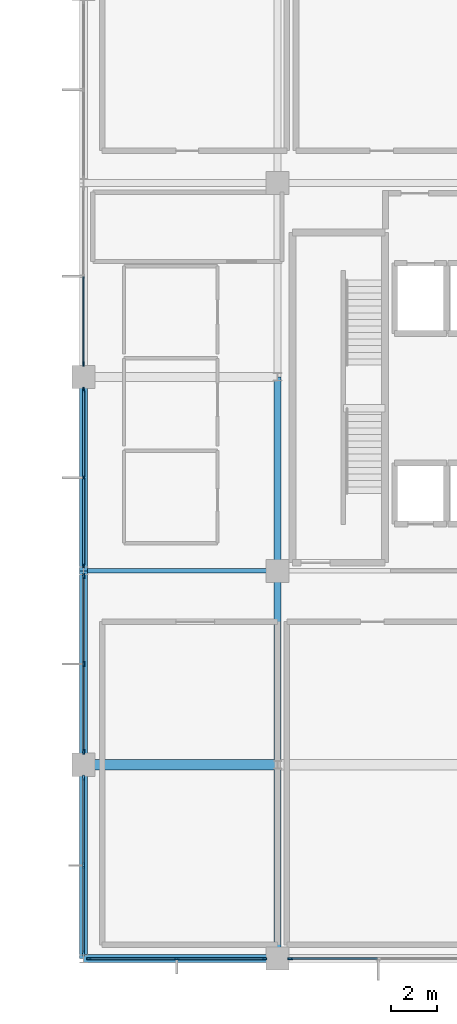
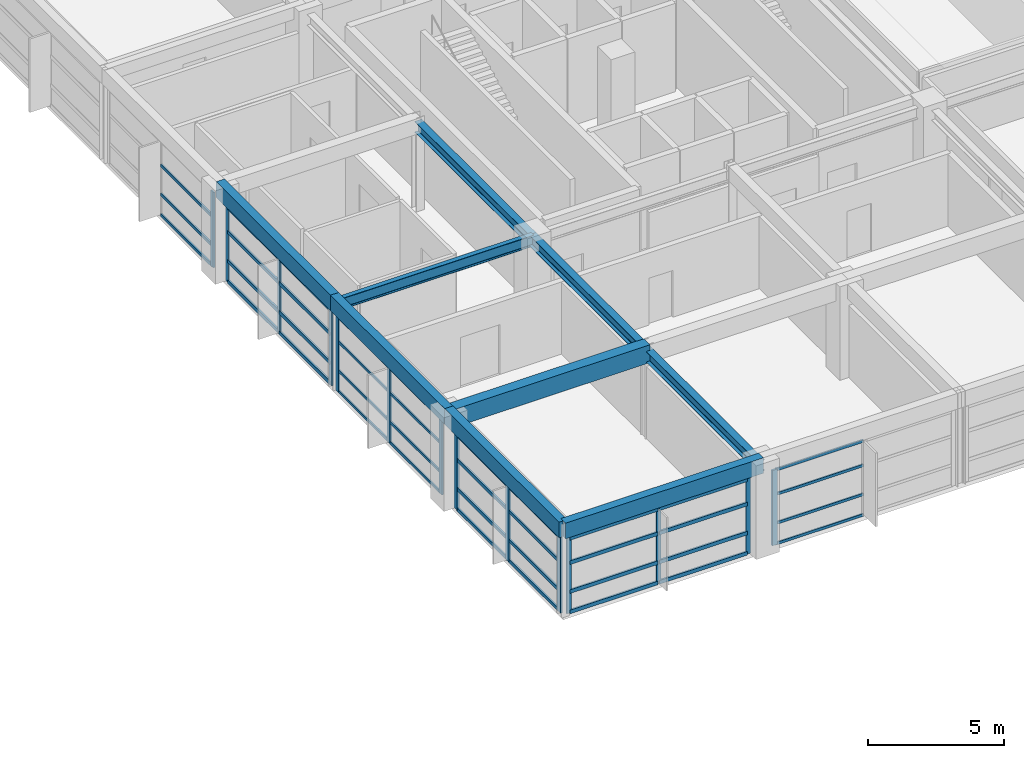
# One storey, part 6 of 21: 53 members, 9 beams, 6 elements without a shape of their own.
"""IFC4 building model written with IfcOpenShell, lengths in metres."""

from ifc_helpers import new_model, si_unit, direction, frame, origin, origin_2d, place, context, subcontext, project, spatial, rectangle, i_section, extrude, material, material_profile, profile_set, type_object, element, aggregate, save


model = new_model("IFC4")

# Units and contexts
model_context = context("Model", 3, precision=1e-05, world=origin(), true_north=direction((0.0, 1.0)))
body_context = subcontext(model_context, "Body", "Model", "MODEL_VIEW")
ifc_project = project(units=[si_unit("LENGTHUNIT", "METRE"), si_unit("AREAUNIT", "SQUARE_METRE"), si_unit("VOLUMEUNIT", "CUBIC_METRE"), si_unit("PLANEANGLEUNIT", "RADIAN"), si_unit("MASSUNIT", "GRAM", prefix="KILO")], contexts=[model_context])

# Site, building, storey
site_placement = place(None, origin())
site = spatial("IfcSite", under=ifc_project, at=site_placement, CompositionType="ELEMENT")
building_placement = place(site_placement, origin())
building = spatial("IfcBuilding", under=site, at=building_placement, Name="Xuanlan Plaza Opera House", CompositionType="ELEMENT")
storey_placement = place(building_placement, frame((0.0, 0.0, 44.699951171875)))
storey = spatial("IfcBuildingStorey", under=building, at=storey_placement, Name="L10", CompositionType="ELEMENT", Elevation=44.699951171875)

# Curtain wall, member
ifc_material_1 = material(Name="Anodised Aluminium 6063-T6 and Low-E Glass", Category="aluminium")
curtain_wall_type_1 = type_object("IfcCurtainWallType", Name="ENV-CW-CW-03", PredefinedType="USERDEFINED", material=ifc_material_1)
curtain_wall_1_placement = place(storey_placement, origin())
curtain_wall_1 = element("IfcCurtainWall", 1, at=curtain_wall_1_placement, inside=storey, type_object=curtain_wall_type_1, Name="Unitised Curtain Wall L10-015", ObjectType="UNITISED CURTAIN WALL", PredefinedType="USERDEFINED")
ifc_material_2 = material(Name="Anodised Aluminium 6063-T6", Category="aluminium")
ifc_material_profile_1 = material_profile(ifc_material_2, rectangle(XDim=0.070068359375, YDim=0.179931640625, at=origin_2d()), Name="ALU-M 70x180")
ifc_profile_set_1 = profile_set([ifc_material_profile_1], Name="Anodised Aluminium 6063-T6")
member_type_1 = type_object("IfcMemberType", Name="ENV-CWM-02", PredefinedType="MULLION", material=ifc_profile_set_1)
member_1_placement = place(storey_placement, frame((126.0, 59.35498046875, 0.0), z_axis=(0.0, 0.0, 1.0), x_axis=(1.0, 0.0, 0.0)))
member_1 = element("IfcMember", 2, at=member_1_placement, type_object=member_type_1, Name="CW-03 mullion 3", PredefinedType="MULLION", context=body_context, shape_type="SweptSolid", body=[
    extrude(rectangle(XDim=0.070068359375, YDim=0.179931640625, at=origin_2d()), origin(), (0.0, 0.0, 1.0), 3.380126953125),
])

# Curtain wall, members
curtain_wall_type_2 = type_object("IfcCurtainWallType", Name="ENV-CW-CW-01", PredefinedType="USERDEFINED", material=ifc_material_1)
curtain_wall_2_placement = place(storey_placement, origin())
curtain_wall_2 = element("IfcCurtainWall", 3, at=curtain_wall_2_placement, inside=storey, type_object=curtain_wall_type_2, Name="Unitised Curtain Wall L10-001", ObjectType="UNITISED CURTAIN WALL", PredefinedType="USERDEFINED")
ifc_material_profile_2 = material_profile(ifc_material_2, rectangle(XDim=0.074951171875, YDim=0.199951171875, at=origin_2d()), Name="ALU-M 75x200")
ifc_profile_set_2 = profile_set([ifc_material_profile_2], Name="Anodised Aluminium 6063-T6")
member_type_2 = type_object("IfcMemberType", Name="ENV-CWM-03", PredefinedType="MULLION", material=ifc_profile_set_2)
member_2_placement = place(storey_placement, frame((126.232421875, 33.60009765625, 0.0), z_axis=(0.0, 0.0, 1.0), x_axis=(0.0, 1.0, 0.0)))
member_2 = element("IfcMember", 4, at=member_2_placement, type_object=member_type_2, Name="CW-01 mullion 1", PredefinedType="MULLION", context=body_context, shape_type="SweptSolid", body=[
    extrude(rectangle(XDim=0.074951171875, YDim=0.199951171875, at=origin_2d()), origin(), (0.0, 0.0, 1.0), 3.380126953125),
])
member_3_placement = place(storey_placement, frame((130.03759765625, 33.60009765625, 0.0), z_axis=(0.0, 0.0, 1.0), x_axis=(0.0, 1.0, 0.0)))
member_3 = element("IfcMember", 5, at=member_3_placement, type_object=member_type_2, Name="CW-01 mullion 2", PredefinedType="MULLION", context=body_context, shape_type="SweptSolid", body=[
    extrude(rectangle(XDim=0.074951171875, YDim=0.199951171875, at=origin_2d()), origin(), (0.0, 0.0, 1.0), 3.380126953125),
])
member_4_placement = place(storey_placement, frame((133.842529296875, 33.60009765625, 0.0), z_axis=(0.0, 0.0, 1.0), x_axis=(0.0, 1.0, 0.0)))
member_4 = element("IfcMember", 6, at=member_4_placement, type_object=member_type_2, Name="CW-01 mullion 3", PredefinedType="MULLION", context=body_context, shape_type="SweptSolid", body=[
    extrude(rectangle(XDim=0.074951171875, YDim=0.199951171875, at=origin_2d()), origin(), (0.0, 0.0, 1.0), 3.380126953125),
])

curtain_wall_type_3 = type_object("IfcCurtainWallType", Name="ENV-CW-CW-04", PredefinedType="USERDEFINED", material=ifc_material_1)
curtain_wall_3_placement = place(storey_placement, origin())
curtain_wall_3 = element("IfcCurtainWall", 7, at=curtain_wall_3_placement, inside=storey, type_object=curtain_wall_type_3, Name="Unitised Curtain Wall L10-016", ObjectType="UNITISED CURTAIN WALL", PredefinedType="USERDEFINED")
member_5_placement = place(storey_placement, frame((126.0, 58.242431640625, 0.0), z_axis=(0.0, 0.0, 1.0), x_axis=(1.0, 0.0, 0.0)))
member_5 = element("IfcMember", 8, at=member_5_placement, type_object=member_type_2, Name="CW-04 mullion 1", PredefinedType="MULLION", context=body_context, shape_type="SweptSolid", body=[
    extrude(rectangle(XDim=0.074951171875, YDim=0.199951171875, at=origin_2d()), origin(), (0.0, 0.0, 1.0), 3.380126953125),
])
member_6_placement = place(storey_placement, frame((126.0, 54.4375, 0.0), z_axis=(0.0, 0.0, 1.0), x_axis=(1.0, 0.0, 0.0)))
member_6 = element("IfcMember", 9, at=member_6_placement, type_object=member_type_2, Name="CW-04 mullion 2", PredefinedType="MULLION", context=body_context, shape_type="SweptSolid", body=[
    extrude(rectangle(XDim=0.074951171875, YDim=0.199951171875, at=origin_2d()), origin(), (0.0, 0.0, 1.0), 3.380126953125),
])
member_7_placement = place(storey_placement, frame((126.0, 50.632568359375, 0.0), z_axis=(0.0, 0.0, 1.0), x_axis=(1.0, 0.0, 0.0)))
member_7 = element("IfcMember", 10, at=member_7_placement, type_object=member_type_2, Name="CW-04 mullion 3", PredefinedType="MULLION", context=body_context, shape_type="SweptSolid", body=[
    extrude(rectangle(XDim=0.074951171875, YDim=0.199951171875, at=origin_2d()), origin(), (0.0, 0.0, 1.0), 3.380126953125),
])

# Curtain wall, member
curtain_wall_type_4 = type_object("IfcCurtainWallType", Name="ENV-CW-CW-02", PredefinedType="USERDEFINED", material=ifc_material_1)
curtain_wall_4_placement = place(storey_placement, origin())
curtain_wall_4 = element("IfcCurtainWall", 11, at=curtain_wall_4_placement, inside=storey, type_object=curtain_wall_type_4, Name="Unitised Curtain Wall L10-002", ObjectType="UNITISED CURTAIN WALL", PredefinedType="USERDEFINED")
ifc_material_profile_3 = material_profile(ifc_material_2, rectangle(XDim=0.080078125, YDim=0.219970703125, at=origin_2d()), Name="ALU-M 80x220")
ifc_profile_set_3 = profile_set([ifc_material_profile_3], Name="Anodised Aluminium 6063-T6")
member_type_3 = type_object("IfcMemberType", Name="ENV-CWM-04", PredefinedType="MULLION", material=ifc_profile_set_3)
member_8_placement = place(storey_placement, frame((134.9599609375, 33.60009765625, 0.0), z_axis=(0.0, 0.0, 1.0), x_axis=(0.0, 1.0, 0.0)))
member_8 = element("IfcMember", 12, at=member_8_placement, type_object=member_type_3, Name="CW-02 mullion 1", PredefinedType="MULLION", context=body_context, shape_type="SweptSolid", body=[
    extrude(rectangle(XDim=0.080078125, YDim=0.219970703125, at=origin_2d()), origin(), (0.0, 0.0, 1.0), 3.380126953125),
])

# Curtain wall, members
curtain_wall_5_placement = place(storey_placement, origin())
curtain_wall_5 = element("IfcCurtainWall", 13, at=curtain_wall_5_placement, inside=storey, type_object=curtain_wall_type_2, Name="Unitised Curtain Wall L10-017", ObjectType="UNITISED CURTAIN WALL", PredefinedType="USERDEFINED")
member_9_placement = place(storey_placement, frame((126.0, 50.1650390625, 0.0), z_axis=(0.0, 0.0, 1.0), x_axis=(1.0, 0.0, 0.0)))
member_9 = element("IfcMember", 14, at=member_9_placement, type_object=member_type_3, Name="CW-01 mullion 1", PredefinedType="MULLION", context=body_context, shape_type="SweptSolid", body=[
    extrude(rectangle(XDim=0.080078125, YDim=0.219970703125, at=origin_2d()), origin(), (0.0, 0.0, 1.0), 3.380126953125),
])
member_10_placement = place(storey_placement, frame((126.0, 46.362548828125, 0.0), z_axis=(0.0, 0.0, 1.0), x_axis=(1.0, 0.0, 0.0)))
member_10 = element("IfcMember", 15, at=member_10_placement, type_object=member_type_3, Name="CW-01 mullion 2", PredefinedType="MULLION", context=body_context, shape_type="SweptSolid", body=[
    extrude(rectangle(XDim=0.080078125, YDim=0.219970703125, at=origin_2d()), origin(), (0.0, 0.0, 1.0), 3.380126953125),
])
member_11_placement = place(storey_placement, frame((126.0, 42.56005859375, 0.0), z_axis=(0.0, 0.0, 1.0), x_axis=(1.0, 0.0, 0.0)))
member_11 = element("IfcMember", 16, at=member_11_placement, type_object=member_type_3, Name="CW-01 mullion 3", PredefinedType="MULLION", context=body_context, shape_type="SweptSolid", body=[
    extrude(rectangle(XDim=0.080078125, YDim=0.219970703125, at=origin_2d()), origin(), (0.0, 0.0, 1.0), 3.380126953125),
])

curtain_wall_6_placement = place(storey_placement, origin())
curtain_wall_6 = element("IfcCurtainWall", 17, at=curtain_wall_6_placement, inside=storey, type_object=curtain_wall_type_4, Name="Unitised Curtain Wall L10-018", ObjectType="UNITISED CURTAIN WALL", PredefinedType="USERDEFINED")
ifc_material_profile_4 = material_profile(ifc_material_2, rectangle(XDim=0.090087890625, YDim=0.25, at=origin_2d()), Name="ALU-M 90x250")
ifc_profile_set_4 = profile_set([ifc_material_profile_4], Name="Anodised Aluminium 6063-T6")
member_type_4 = type_object("IfcMemberType", Name="ENV-CWM-05", PredefinedType="MULLION", material=ifc_profile_set_4)
member_12_placement = place(storey_placement, frame((126.0, 41.43505859375, 0.0), z_axis=(0.0, 0.0, 1.0), x_axis=(1.0, 0.0, 0.0)))
member_12 = element("IfcMember", 18, at=member_12_placement, type_object=member_type_4, Name="CW-02 mullion 1", PredefinedType="MULLION", context=body_context, shape_type="SweptSolid", body=[
    extrude(rectangle(XDim=0.090087890625, YDim=0.25, at=origin_2d()), origin(), (0.0, 0.0, 1.0), 3.380126953125),
])
member_13_placement = place(storey_placement, frame((126.0, 37.637451171875, 0.0), z_axis=(0.0, 0.0, 1.0), x_axis=(1.0, 0.0, 0.0)))
member_13 = element("IfcMember", 19, at=member_13_placement, type_object=member_type_4, Name="CW-02 mullion 2", PredefinedType="MULLION", context=body_context, shape_type="SweptSolid", body=[
    extrude(rectangle(XDim=0.090087890625, YDim=0.25, at=origin_2d()), origin(), (0.0, 0.0, 1.0), 3.380126953125),
])
member_14_placement = place(storey_placement, frame((126.0, 33.840087890625, 0.0), z_axis=(0.0, 0.0, 1.0), x_axis=(1.0, 0.0, 0.0)))
member_14 = element("IfcMember", 20, at=member_14_placement, type_object=member_type_4, Name="CW-02 mullion 3", PredefinedType="MULLION", context=body_context, shape_type="SweptSolid", body=[
    extrude(rectangle(XDim=0.090087890625, YDim=0.25, at=origin_2d()), origin(), (0.0, 0.0, 1.0), 3.380126953125),
])

# Member
ifc_material_profile_5 = material_profile(ifc_material_2, rectangle(XDim=0.06494140625, YDim=0.1201171875, at=origin_2d()), Name="ALU-T 65x120")
ifc_profile_set_5 = profile_set([ifc_material_profile_5], Name="Anodised Aluminium 6063-T6")
member_type_5 = type_object("IfcMemberType", Name="ENV-CWT-01", PredefinedType="USERDEFINED", material=ifc_profile_set_5)
member_15_placement = place(storey_placement, frame((135.0, 33.60009765625, 0.032470703125), z_axis=(1.0, 0.0, 0.0), x_axis=(0.0, 1.0, 0.0)))
member_15 = element("IfcMember", 21, at=member_15_placement, type_object=member_type_5, Name="CW-02 transom 1.1", ObjectType="TRANSOM", PredefinedType="USERDEFINED", context=body_context, shape_type="SweptSolid", body=[
    extrude(rectangle(XDim=0.06494140625, YDim=0.1201171875, at=origin_2d()), origin(), (0.0, 0.0, 1.0), 3.722412109375),
])

member_16_placement = place(storey_placement, frame((135.0, 33.60009765625, 0.949951171875), z_axis=(1.0, 0.0, 0.0), x_axis=(0.0, 1.0, 0.0)))
member_16 = element("IfcMember", 22, at=member_16_placement, type_object=member_type_5, Name="CW-02 transom 1.2", ObjectType="TRANSOM", PredefinedType="USERDEFINED", context=body_context, shape_type="SweptSolid", body=[
    extrude(rectangle(XDim=0.06494140625, YDim=0.1201171875, at=origin_2d()), origin(), (0.0, 0.0, 1.0), 3.722412109375),
])

member_17_placement = place(storey_placement, frame((135.0, 33.60009765625, 2.25), z_axis=(1.0, 0.0, 0.0), x_axis=(0.0, 1.0, 0.0)))
member_17 = element("IfcMember", 23, at=member_17_placement, type_object=member_type_5, Name="CW-02 transom 1.3", ObjectType="TRANSOM", PredefinedType="USERDEFINED", context=body_context, shape_type="SweptSolid", body=[
    extrude(rectangle(XDim=0.06494140625, YDim=0.1201171875, at=origin_2d()), origin(), (0.0, 0.0, 1.0), 3.722412109375),
])

member_18_placement = place(storey_placement, frame((135.0, 33.60009765625, 3.34765625), z_axis=(1.0, 0.0, 0.0), x_axis=(0.0, 1.0, 0.0)))
member_18 = element("IfcMember", 24, at=member_18_placement, type_object=member_type_5, Name="CW-02 transom 1.4", ObjectType="TRANSOM", PredefinedType="USERDEFINED", context=body_context, shape_type="SweptSolid", body=[
    extrude(rectangle(XDim=0.06494140625, YDim=0.1201171875, at=origin_2d()), origin(), (0.0, 0.0, 1.0), 3.722412109375),
])

aggregate(curtain_wall_4, [member_8, member_15, member_16, member_17, member_18])

member_19_placement = place(storey_placement, frame((126.0, 50.125, 0.032470703125), z_axis=(0.0, -1.0, 0.0), x_axis=(1.0, 0.0, 0.0)))
member_19 = element("IfcMember", 25, at=member_19_placement, type_object=member_type_5, Name="CW-01 transom 1.1", ObjectType="TRANSOM", PredefinedType="USERDEFINED", context=body_context, shape_type="SweptSolid", body=[
    extrude(rectangle(XDim=0.06494140625, YDim=0.1201171875, at=origin_2d()), origin(), (0.0, 0.0, 1.0), 3.722412109375),
])

member_20_placement = place(storey_placement, frame((126.0, 50.125, 0.949951171875), z_axis=(0.0, -1.0, 0.0), x_axis=(1.0, 0.0, 0.0)))
member_20 = element("IfcMember", 26, at=member_20_placement, type_object=member_type_5, Name="CW-01 transom 1.2", ObjectType="TRANSOM", PredefinedType="USERDEFINED", context=body_context, shape_type="SweptSolid", body=[
    extrude(rectangle(XDim=0.06494140625, YDim=0.1201171875, at=origin_2d()), origin(), (0.0, 0.0, 1.0), 3.722412109375),
])

member_21_placement = place(storey_placement, frame((126.0, 50.125, 2.25), z_axis=(0.0, -1.0, 0.0), x_axis=(1.0, 0.0, 0.0)))
member_21 = element("IfcMember", 27, at=member_21_placement, type_object=member_type_5, Name="CW-01 transom 1.3", ObjectType="TRANSOM", PredefinedType="USERDEFINED", context=body_context, shape_type="SweptSolid", body=[
    extrude(rectangle(XDim=0.06494140625, YDim=0.1201171875, at=origin_2d()), origin(), (0.0, 0.0, 1.0), 3.722412109375),
])

member_22_placement = place(storey_placement, frame((126.0, 50.125, 3.34765625), z_axis=(0.0, -1.0, 0.0), x_axis=(1.0, 0.0, 0.0)))
member_22 = element("IfcMember", 28, at=member_22_placement, type_object=member_type_5, Name="CW-01 transom 1.4", ObjectType="TRANSOM", PredefinedType="USERDEFINED", context=body_context, shape_type="SweptSolid", body=[
    extrude(rectangle(XDim=0.06494140625, YDim=0.1201171875, at=origin_2d()), origin(), (0.0, 0.0, 1.0), 3.722412109375),
])

member_23_placement = place(storey_placement, frame((126.0, 46.322509765625, 0.032470703125), z_axis=(0.0, -1.0, 0.0), x_axis=(1.0, 0.0, 0.0)))
member_23 = element("IfcMember", 29, at=member_23_placement, type_object=member_type_5, Name="CW-01 transom 2.1", ObjectType="TRANSOM", PredefinedType="USERDEFINED", context=body_context, shape_type="SweptSolid", body=[
    extrude(rectangle(XDim=0.06494140625, YDim=0.1201171875, at=origin_2d()), origin(), (0.0, 0.0, 1.0), 3.722412109375),
])

member_24_placement = place(storey_placement, frame((126.0, 46.322509765625, 0.949951171875), z_axis=(0.0, -1.0, 0.0), x_axis=(1.0, 0.0, 0.0)))
member_24 = element("IfcMember", 30, at=member_24_placement, type_object=member_type_5, Name="CW-01 transom 2.2", ObjectType="TRANSOM", PredefinedType="USERDEFINED", context=body_context, shape_type="SweptSolid", body=[
    extrude(rectangle(XDim=0.06494140625, YDim=0.1201171875, at=origin_2d()), origin(), (0.0, 0.0, 1.0), 3.722412109375),
])

member_25_placement = place(storey_placement, frame((126.0, 46.322509765625, 2.25), z_axis=(0.0, -1.0, 0.0), x_axis=(1.0, 0.0, 0.0)))
member_25 = element("IfcMember", 31, at=member_25_placement, type_object=member_type_5, Name="CW-01 transom 2.3", ObjectType="TRANSOM", PredefinedType="USERDEFINED", context=body_context, shape_type="SweptSolid", body=[
    extrude(rectangle(XDim=0.06494140625, YDim=0.1201171875, at=origin_2d()), origin(), (0.0, 0.0, 1.0), 3.722412109375),
])

member_26_placement = place(storey_placement, frame((126.0, 46.322509765625, 3.34765625), z_axis=(0.0, -1.0, 0.0), x_axis=(1.0, 0.0, 0.0)))
member_26 = element("IfcMember", 32, at=member_26_placement, type_object=member_type_5, Name="CW-01 transom 2.4", ObjectType="TRANSOM", PredefinedType="USERDEFINED", context=body_context, shape_type="SweptSolid", body=[
    extrude(rectangle(XDim=0.06494140625, YDim=0.1201171875, at=origin_2d()), origin(), (0.0, 0.0, 1.0), 3.722412109375),
])

aggregate(curtain_wall_5, [member_9, member_10, member_11, member_19, member_20, member_21, member_22, member_23, member_24, member_25, member_26])

ifc_material_profile_6 = material_profile(ifc_material_2, rectangle(XDim=0.070068359375, YDim=0.135009765625, at=origin_2d()), Name="ALU-T 70x135")
ifc_profile_set_6 = profile_set([ifc_material_profile_6], Name="Anodised Aluminium 6063-T6")
member_type_6 = type_object("IfcMemberType", Name="ENV-CWT-02", PredefinedType="USERDEFINED", material=ifc_profile_set_6)
member_27_placement = place(storey_placement, frame((126.0, 63.12744140625, 0.03515625), z_axis=(0.0, -1.0, 0.0), x_axis=(1.0, 0.0, 0.0)))
member_27 = element("IfcMember", 33, at=member_27_placement, type_object=member_type_6, Name="CW-03 transom 2.1", ObjectType="TRANSOM", PredefinedType="USERDEFINED", context=body_context, shape_type="SweptSolid", body=[
    extrude(rectangle(XDim=0.070068359375, YDim=0.135009765625, at=origin_2d()), origin(), (0.0, 0.0, 1.0), 3.737548828125),
])

member_28_placement = place(storey_placement, frame((126.0, 63.12744140625, 0.949951171875), z_axis=(0.0, -1.0, 0.0), x_axis=(1.0, 0.0, 0.0)))
member_28 = element("IfcMember", 34, at=member_28_placement, type_object=member_type_6, Name="CW-03 transom 2.2", ObjectType="TRANSOM", PredefinedType="USERDEFINED", context=body_context, shape_type="SweptSolid", body=[
    extrude(rectangle(XDim=0.070068359375, YDim=0.135009765625, at=origin_2d()), origin(), (0.0, 0.0, 1.0), 3.737548828125),
])

member_29_placement = place(storey_placement, frame((126.0, 63.12744140625, 2.25), z_axis=(0.0, -1.0, 0.0), x_axis=(1.0, 0.0, 0.0)))
member_29 = element("IfcMember", 35, at=member_29_placement, type_object=member_type_6, Name="CW-03 transom 2.3", ObjectType="TRANSOM", PredefinedType="USERDEFINED", context=body_context, shape_type="SweptSolid", body=[
    extrude(rectangle(XDim=0.070068359375, YDim=0.135009765625, at=origin_2d()), origin(), (0.0, 0.0, 1.0), 3.737548828125),
])

aggregate(curtain_wall_1, [member_1, member_27, member_28, member_29])

ifc_material_profile_7 = material_profile(ifc_material_2, rectangle(XDim=0.074951171875, YDim=0.14990234375, at=origin_2d()), Name="ALU-T 75x150")
ifc_profile_set_7 = profile_set([ifc_material_profile_7], Name="Anodised Aluminium 6063-T6")
member_type_7 = type_object("IfcMemberType", Name="ENV-CWT-03", PredefinedType="USERDEFINED", material=ifc_profile_set_7)
member_30_placement = place(storey_placement, frame((126.0, 41.389892578125, 0.03759765625), z_axis=(0.0, -1.0, 0.0), x_axis=(1.0, 0.0, 0.0)))
member_30 = element("IfcMember", 36, at=member_30_placement, type_object=member_type_7, Name="CW-02 transom 1.1", ObjectType="TRANSOM", PredefinedType="USERDEFINED", context=body_context, shape_type="SweptSolid", body=[
    extrude(rectangle(XDim=0.074951171875, YDim=0.14990234375, at=origin_2d()), origin(), (0.0, 0.0, 1.0), 3.707275390625),
])

member_31_placement = place(storey_placement, frame((126.0, 41.389892578125, 0.949951171875), z_axis=(0.0, -1.0, 0.0), x_axis=(1.0, 0.0, 0.0)))
member_31 = element("IfcMember", 37, at=member_31_placement, type_object=member_type_7, Name="CW-02 transom 1.2", ObjectType="TRANSOM", PredefinedType="USERDEFINED", context=body_context, shape_type="SweptSolid", body=[
    extrude(rectangle(XDim=0.074951171875, YDim=0.14990234375, at=origin_2d()), origin(), (0.0, 0.0, 1.0), 3.707275390625),
])

member_32_placement = place(storey_placement, frame((126.0, 41.389892578125, 2.25), z_axis=(0.0, -1.0, 0.0), x_axis=(1.0, 0.0, 0.0)))
member_32 = element("IfcMember", 38, at=member_32_placement, type_object=member_type_7, Name="CW-02 transom 1.3", ObjectType="TRANSOM", PredefinedType="USERDEFINED", context=body_context, shape_type="SweptSolid", body=[
    extrude(rectangle(XDim=0.074951171875, YDim=0.14990234375, at=origin_2d()), origin(), (0.0, 0.0, 1.0), 3.707275390625),
])

member_33_placement = place(storey_placement, frame((126.0, 41.389892578125, 3.342529296875), z_axis=(0.0, -1.0, 0.0), x_axis=(1.0, 0.0, 0.0)))
member_33 = element("IfcMember", 39, at=member_33_placement, type_object=member_type_7, Name="CW-02 transom 1.4", ObjectType="TRANSOM", PredefinedType="USERDEFINED", context=body_context, shape_type="SweptSolid", body=[
    extrude(rectangle(XDim=0.074951171875, YDim=0.14990234375, at=origin_2d()), origin(), (0.0, 0.0, 1.0), 3.707275390625),
])

member_34_placement = place(storey_placement, frame((126.0, 37.592529296875, 0.03759765625), z_axis=(0.0, -1.0, 0.0), x_axis=(1.0, 0.0, 0.0)))
member_34 = element("IfcMember", 40, at=member_34_placement, type_object=member_type_7, Name="CW-02 transom 2.1", ObjectType="TRANSOM", PredefinedType="USERDEFINED", context=body_context, shape_type="SweptSolid", body=[
    extrude(rectangle(XDim=0.074951171875, YDim=0.14990234375, at=origin_2d()), origin(), (0.0, 0.0, 1.0), 3.70751953125),
])

member_35_placement = place(storey_placement, frame((126.0, 37.592529296875, 0.949951171875), z_axis=(0.0, -1.0, 0.0), x_axis=(1.0, 0.0, 0.0)))
member_35 = element("IfcMember", 41, at=member_35_placement, type_object=member_type_7, Name="CW-02 transom 2.2", ObjectType="TRANSOM", PredefinedType="USERDEFINED", context=body_context, shape_type="SweptSolid", body=[
    extrude(rectangle(XDim=0.074951171875, YDim=0.14990234375, at=origin_2d()), origin(), (0.0, 0.0, 1.0), 3.70751953125),
])

member_36_placement = place(storey_placement, frame((126.0, 37.592529296875, 2.25), z_axis=(0.0, -1.0, 0.0), x_axis=(1.0, 0.0, 0.0)))
member_36 = element("IfcMember", 42, at=member_36_placement, type_object=member_type_7, Name="CW-02 transom 2.3", ObjectType="TRANSOM", PredefinedType="USERDEFINED", context=body_context, shape_type="SweptSolid", body=[
    extrude(rectangle(XDim=0.074951171875, YDim=0.14990234375, at=origin_2d()), origin(), (0.0, 0.0, 1.0), 3.70751953125),
])

member_37_placement = place(storey_placement, frame((126.0, 37.592529296875, 3.342529296875), z_axis=(0.0, -1.0, 0.0), x_axis=(1.0, 0.0, 0.0)))
member_37 = element("IfcMember", 43, at=member_37_placement, type_object=member_type_7, Name="CW-02 transom 2.4", ObjectType="TRANSOM", PredefinedType="USERDEFINED", context=body_context, shape_type="SweptSolid", body=[
    extrude(rectangle(XDim=0.074951171875, YDim=0.14990234375, at=origin_2d()), origin(), (0.0, 0.0, 1.0), 3.70751953125),
])

aggregate(curtain_wall_6, [member_12, member_13, member_14, member_30, member_31, member_32, member_33, member_34, member_35, member_36, member_37])

ifc_material_profile_8 = material_profile(ifc_material_2, rectangle(XDim=0.080078125, YDim=0.1650390625, at=origin_2d()), Name="ALU-T 80x165")
ifc_profile_set_8 = profile_set([ifc_material_profile_8], Name="Anodised Aluminium 6063-T6")
member_type_8 = type_object("IfcMemberType", Name="ENV-CWT-04", PredefinedType="USERDEFINED", material=ifc_profile_set_8)
member_38_placement = place(storey_placement, frame((126.27001953125, 33.60009765625, 0.0400390625), z_axis=(1.0, 0.0, 0.0), x_axis=(0.0, 1.0, 0.0)))
member_38 = element("IfcMember", 44, at=member_38_placement, type_object=member_type_8, Name="CW-01 transom 1.1", ObjectType="TRANSOM", PredefinedType="USERDEFINED", context=body_context, shape_type="SweptSolid", body=[
    extrude(rectangle(XDim=0.080078125, YDim=0.1650390625, at=origin_2d()), origin(), (0.0, 0.0, 1.0), 3.72998046875),
])

member_39_placement = place(storey_placement, frame((126.27001953125, 33.60009765625, 0.949951171875), z_axis=(1.0, 0.0, 0.0), x_axis=(0.0, 1.0, 0.0)))
member_39 = element("IfcMember", 45, at=member_39_placement, type_object=member_type_8, Name="CW-01 transom 1.2", ObjectType="TRANSOM", PredefinedType="USERDEFINED", context=body_context, shape_type="SweptSolid", body=[
    extrude(rectangle(XDim=0.080078125, YDim=0.1650390625, at=origin_2d()), origin(), (0.0, 0.0, 1.0), 3.72998046875),
])

member_40_placement = place(storey_placement, frame((126.27001953125, 33.60009765625, 2.25), z_axis=(1.0, 0.0, 0.0), x_axis=(0.0, 1.0, 0.0)))
member_40 = element("IfcMember", 46, at=member_40_placement, type_object=member_type_8, Name="CW-01 transom 1.3", ObjectType="TRANSOM", PredefinedType="USERDEFINED", context=body_context, shape_type="SweptSolid", body=[
    extrude(rectangle(XDim=0.080078125, YDim=0.1650390625, at=origin_2d()), origin(), (0.0, 0.0, 1.0), 3.72998046875),
])

member_41_placement = place(storey_placement, frame((126.27001953125, 33.60009765625, 3.340087890625), z_axis=(1.0, 0.0, 0.0), x_axis=(0.0, 1.0, 0.0)))
member_41 = element("IfcMember", 47, at=member_41_placement, type_object=member_type_8, Name="CW-01 transom 1.4", ObjectType="TRANSOM", PredefinedType="USERDEFINED", context=body_context, shape_type="SweptSolid", body=[
    extrude(rectangle(XDim=0.080078125, YDim=0.1650390625, at=origin_2d()), origin(), (0.0, 0.0, 1.0), 3.72998046875),
])

member_42_placement = place(storey_placement, frame((130.074951171875, 33.60009765625, 0.0400390625), z_axis=(1.0, 0.0, 0.0), x_axis=(0.0, 1.0, 0.0)))
member_42 = element("IfcMember", 48, at=member_42_placement, type_object=member_type_8, Name="CW-01 transom 2.1", ObjectType="TRANSOM", PredefinedType="USERDEFINED", context=body_context, shape_type="SweptSolid", body=[
    extrude(rectangle(XDim=0.080078125, YDim=0.1650390625, at=origin_2d()), origin(), (0.0, 0.0, 1.0), 3.72998046875),
])

member_43_placement = place(storey_placement, frame((130.074951171875, 33.60009765625, 0.949951171875), z_axis=(1.0, 0.0, 0.0), x_axis=(0.0, 1.0, 0.0)))
member_43 = element("IfcMember", 49, at=member_43_placement, type_object=member_type_8, Name="CW-01 transom 2.2", ObjectType="TRANSOM", PredefinedType="USERDEFINED", context=body_context, shape_type="SweptSolid", body=[
    extrude(rectangle(XDim=0.080078125, YDim=0.1650390625, at=origin_2d()), origin(), (0.0, 0.0, 1.0), 3.72998046875),
])

member_44_placement = place(storey_placement, frame((130.074951171875, 33.60009765625, 2.25), z_axis=(1.0, 0.0, 0.0), x_axis=(0.0, 1.0, 0.0)))
member_44 = element("IfcMember", 50, at=member_44_placement, type_object=member_type_8, Name="CW-01 transom 2.3", ObjectType="TRANSOM", PredefinedType="USERDEFINED", context=body_context, shape_type="SweptSolid", body=[
    extrude(rectangle(XDim=0.080078125, YDim=0.1650390625, at=origin_2d()), origin(), (0.0, 0.0, 1.0), 3.72998046875),
])

member_45_placement = place(storey_placement, frame((130.074951171875, 33.60009765625, 3.340087890625), z_axis=(1.0, 0.0, 0.0), x_axis=(0.0, 1.0, 0.0)))
member_45 = element("IfcMember", 51, at=member_45_placement, type_object=member_type_8, Name="CW-01 transom 2.4", ObjectType="TRANSOM", PredefinedType="USERDEFINED", context=body_context, shape_type="SweptSolid", body=[
    extrude(rectangle(XDim=0.080078125, YDim=0.1650390625, at=origin_2d()), origin(), (0.0, 0.0, 1.0), 3.72998046875),
])

aggregate(curtain_wall_2, [member_2, member_3, member_4, member_38, member_39, member_40, member_41, member_42, member_43, member_44, member_45])

member_46_placement = place(storey_placement, frame((126.0, 58.205078125, 0.0400390625), z_axis=(0.0, -1.0, 0.0), x_axis=(1.0, 0.0, 0.0)))
member_46 = element("IfcMember", 52, at=member_46_placement, type_object=member_type_8, Name="CW-04 transom 1.1", ObjectType="TRANSOM", PredefinedType="USERDEFINED", context=body_context, shape_type="SweptSolid", body=[
    extrude(rectangle(XDim=0.080078125, YDim=0.1650390625, at=origin_2d()), origin(), (0.0, 0.0, 1.0), 3.72998046875),
])

member_47_placement = place(storey_placement, frame((126.0, 58.205078125, 0.949951171875), z_axis=(0.0, -1.0, 0.0), x_axis=(1.0, 0.0, 0.0)))
member_47 = element("IfcMember", 53, at=member_47_placement, type_object=member_type_8, Name="CW-04 transom 1.2", ObjectType="TRANSOM", PredefinedType="USERDEFINED", context=body_context, shape_type="SweptSolid", body=[
    extrude(rectangle(XDim=0.080078125, YDim=0.1650390625, at=origin_2d()), origin(), (0.0, 0.0, 1.0), 3.72998046875),
])

member_48_placement = place(storey_placement, frame((126.0, 58.205078125, 2.25), z_axis=(0.0, -1.0, 0.0), x_axis=(1.0, 0.0, 0.0)))
member_48 = element("IfcMember", 54, at=member_48_placement, type_object=member_type_8, Name="CW-04 transom 1.3", ObjectType="TRANSOM", PredefinedType="USERDEFINED", context=body_context, shape_type="SweptSolid", body=[
    extrude(rectangle(XDim=0.080078125, YDim=0.1650390625, at=origin_2d()), origin(), (0.0, 0.0, 1.0), 3.72998046875),
])

member_49_placement = place(storey_placement, frame((126.0, 58.205078125, 3.340087890625), z_axis=(0.0, -1.0, 0.0), x_axis=(1.0, 0.0, 0.0)))
member_49 = element("IfcMember", 55, at=member_49_placement, type_object=member_type_8, Name="CW-04 transom 1.4", ObjectType="TRANSOM", PredefinedType="USERDEFINED", context=body_context, shape_type="SweptSolid", body=[
    extrude(rectangle(XDim=0.080078125, YDim=0.1650390625, at=origin_2d()), origin(), (0.0, 0.0, 1.0), 3.72998046875),
])

member_50_placement = place(storey_placement, frame((126.0, 54.39990234375, 0.0400390625), z_axis=(0.0, -1.0, 0.0), x_axis=(1.0, 0.0, 0.0)))
member_50 = element("IfcMember", 56, at=member_50_placement, type_object=member_type_8, Name="CW-04 transom 2.1", ObjectType="TRANSOM", PredefinedType="USERDEFINED", context=body_context, shape_type="SweptSolid", body=[
    extrude(rectangle(XDim=0.080078125, YDim=0.1650390625, at=origin_2d()), origin(), (0.0, 0.0, 1.0), 3.72998046875),
])

member_51_placement = place(storey_placement, frame((126.0, 54.39990234375, 0.949951171875), z_axis=(0.0, -1.0, 0.0), x_axis=(1.0, 0.0, 0.0)))
member_51 = element("IfcMember", 57, at=member_51_placement, type_object=member_type_8, Name="CW-04 transom 2.2", ObjectType="TRANSOM", PredefinedType="USERDEFINED", context=body_context, shape_type="SweptSolid", body=[
    extrude(rectangle(XDim=0.080078125, YDim=0.1650390625, at=origin_2d()), origin(), (0.0, 0.0, 1.0), 3.72998046875),
])

member_52_placement = place(storey_placement, frame((126.0, 54.39990234375, 2.25), z_axis=(0.0, -1.0, 0.0), x_axis=(1.0, 0.0, 0.0)))
member_52 = element("IfcMember", 58, at=member_52_placement, type_object=member_type_8, Name="CW-04 transom 2.3", ObjectType="TRANSOM", PredefinedType="USERDEFINED", context=body_context, shape_type="SweptSolid", body=[
    extrude(rectangle(XDim=0.080078125, YDim=0.1650390625, at=origin_2d()), origin(), (0.0, 0.0, 1.0), 3.72998046875),
])

member_53_placement = place(storey_placement, frame((126.0, 54.39990234375, 3.340087890625), z_axis=(0.0, -1.0, 0.0), x_axis=(1.0, 0.0, 0.0)))
member_53 = element("IfcMember", 59, at=member_53_placement, type_object=member_type_8, Name="CW-04 transom 2.4", ObjectType="TRANSOM", PredefinedType="USERDEFINED", context=body_context, shape_type="SweptSolid", body=[
    extrude(rectangle(XDim=0.080078125, YDim=0.1650390625, at=origin_2d()), origin(), (0.0, 0.0, 1.0), 3.72998046875),
])

aggregate(curtain_wall_3, [member_5, member_6, member_7, member_46, member_47, member_48, member_49, member_50, member_51, member_52, member_53])

# Beams
ifc_material_3 = material(Name="Concrete C40", Category="concrete")
ifc_material_profile_9 = material_profile(ifc_material_3, rectangle(XDim=0.449951171875, YDim=0.800048828125, at=origin_2d()), Name="RC-BM 450x800")
ifc_profile_set_9 = profile_set([ifc_material_profile_9], Name="Concrete C40")
beam_type_1 = type_object("IfcBeamType", Name="STR-BM-B-05", PredefinedType="BEAM", material=ifc_profile_set_9)
beam_1_placement = place(storey_placement, frame((126.0, 42.0, 3.800048828125), z_axis=(1.0, 0.0, 0.0), x_axis=(0.0, 1.0, 0.0)))
element("IfcBeam", 60, at=beam_1_placement, inside=storey, type_object=beam_type_1, Name="Grid Beam X L10 16-17/F", PredefinedType="BEAM", context=body_context, shape_type="SweptSolid", body=[
    extrude(rectangle(XDim=0.449951171875, YDim=0.800048828125, at=origin_2d()), origin(), (0.0, 0.0, 1.0), 8.39990234375),
])
ifc_material_4 = material(Name="Steel Q355B", Category="steel")
ifc_material_profile_10 = material_profile(ifc_material_4, i_section(OverallWidth=0.199951171875, OverallDepth=0.5, WebThickness=0.010009765625, FlangeThickness=0.01611328125, FilletRadius=0.02001953125, at=origin_2d()), Name="HN 500x200x10x16")
ifc_profile_set_10 = profile_set([ifc_material_profile_10], Name="Steel Q355B")
beam_type_2 = type_object("IfcBeamType", Name="STR-BM-SB-05", PredefinedType="BEAM", material=ifc_profile_set_10)
beam_2_placement = place(storey_placement, frame((126.0, 50.39990234375, 3.705078125), z_axis=(1.0, 0.0, 0.0), x_axis=(0.0, 1.0, 0.0)))
element("IfcBeam", 61, at=beam_2_placement, inside=storey, type_object=beam_type_2, Name="Grid Beam X L10 16-17/G", PredefinedType="BEAM", context=body_context, shape_type="SweptSolid", body=[
    extrude(i_section(OverallWidth=0.199951171875, OverallDepth=0.5, WebThickness=0.010009765625, FlangeThickness=0.01611328125, FilletRadius=0.02001953125, at=origin_2d()), origin(), (0.0, 0.0, 1.0), 8.39990234375),
])
ifc_material_profile_11 = material_profile(ifc_material_4, i_section(OverallWidth=0.300048828125, OverallDepth=0.488037109375, WebThickness=0.010986328125, FlangeThickness=0.01806640625, FilletRadius=0.02197265625, at=origin_2d()), Name="HM 488x300x11x18")
ifc_profile_set_11 = profile_set([ifc_material_profile_11], Name="Steel Q355B")
beam_type_3 = type_object("IfcBeamType", Name="STR-BM-SB-07", PredefinedType="BEAM", material=ifc_profile_set_11)
for number, where, z_axis, x_axis, name in (
    (62, (134.39990234375, 33.60009765625, 3.7109375), (0.0, 1.0, 0.0), (-1.0, 0.0, 0.0), "Grid Beam Y L10 17/E-F"),
    (63, (134.39990234375, 42.0, 3.7109375), (0.0, 1.0, 0.0), (-1.0, 0.0, 0.0), "Grid Beam Y L10 17/F-G"),
):
    element("IfcBeam", number, at=place(storey_placement, frame(where, z_axis=z_axis, x_axis=x_axis)), inside=storey, type_object=beam_type_3, Name=name, PredefinedType="BEAM", context=body_context, shape_type="SweptSolid", body=[
        extrude(i_section(OverallWidth=0.300048828125, OverallDepth=0.488037109375, WebThickness=0.010986328125, FlangeThickness=0.01806640625, FilletRadius=0.02197265625, at=origin_2d()), origin(), (0.0, 0.0, 1.0), 8.39990234375),
    ])
beam_3_placement = place(storey_placement, frame((134.39990234375, 50.39990234375, 3.7109375), z_axis=(0.0, 1.0, 0.0), x_axis=(-1.0, 0.0, 0.0)))
element("IfcBeam", 64, at=beam_3_placement, inside=storey, type_object=beam_type_3, Name="Grid Beam Y L10 17/G-H", PredefinedType="BEAM", context=body_context, shape_type="SweptSolid", body=[
    extrude(i_section(OverallWidth=0.300048828125, OverallDepth=0.488037109375, WebThickness=0.010986328125, FlangeThickness=0.01806640625, FilletRadius=0.02197265625, at=origin_2d()), origin(), (0.0, 0.0, 1.0), 8.400146484375),
])
ifc_material_profile_12 = material_profile(ifc_material_3, rectangle(XDim=0.35009765625, YDim=0.699951171875, at=origin_2d()), Name="RC-SPD 350x700")
ifc_profile_set_12 = profile_set([ifc_material_profile_12], Name="Concrete C40")
beam_type_4 = type_object("IfcBeamType", Name="STR-BM-SP-02", PredefinedType="SPANDREL", material=ifc_profile_set_12)
for number, where, z_axis, x_axis, name in (
    (65, (126.0, 33.60009765625, 3.85009765625), (1.0, 0.0, 0.0), (0.0, 1.0, 0.0), "Grid Beam X L10 16-17/E"),
    (66, (126.0, 33.60009765625, 3.85009765625), (0.0, 1.0, 0.0), (-1.0, 0.0, 0.0), "Grid Beam Y L10 16/E-F"),
    (67, (126.0, 42.0, 3.85009765625), (0.0, 1.0, 0.0), (-1.0, 0.0, 0.0), "Grid Beam Y L10 16/F-G"),
):
    element("IfcBeam", number, at=place(storey_placement, frame(where, z_axis=z_axis, x_axis=x_axis)), inside=storey, type_object=beam_type_4, Name=name, PredefinedType="SPANDREL", context=body_context, shape_type="SweptSolid", body=[
        extrude(rectangle(XDim=0.35009765625, YDim=0.699951171875, at=origin_2d()), origin(), (0.0, 0.0, 1.0), 8.39990234375),
    ])
beam_4_placement = place(storey_placement, frame((126.0, 50.39990234375, 3.85009765625), z_axis=(0.0, 1.0, 0.0), x_axis=(-1.0, 0.0, 0.0)))
element("IfcBeam", 68, at=beam_4_placement, inside=storey, type_object=beam_type_4, Name="Grid Beam Y L10 16/G-H", PredefinedType="SPANDREL", context=body_context, shape_type="SweptSolid", body=[
    extrude(rectangle(XDim=0.35009765625, YDim=0.699951171875, at=origin_2d()), origin(), (0.0, 0.0, 1.0), 8.400146484375),
])

save(model, "model.ifc")
